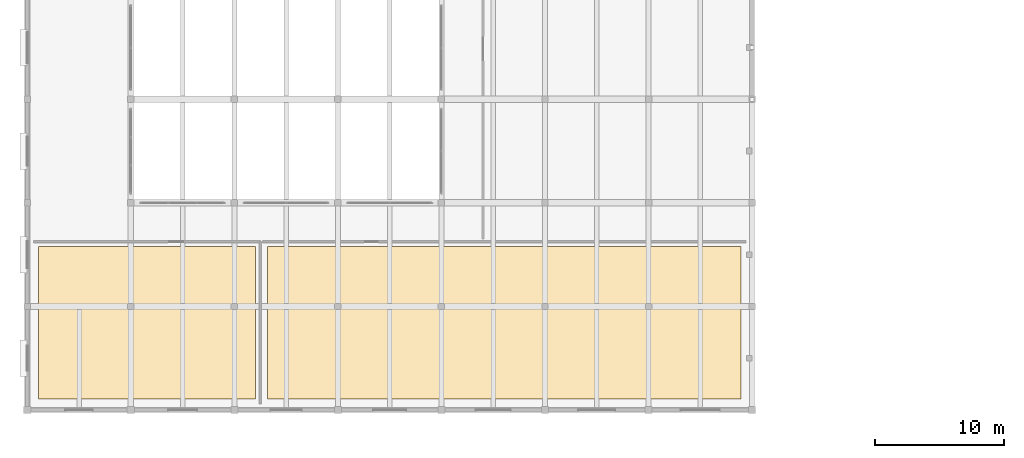
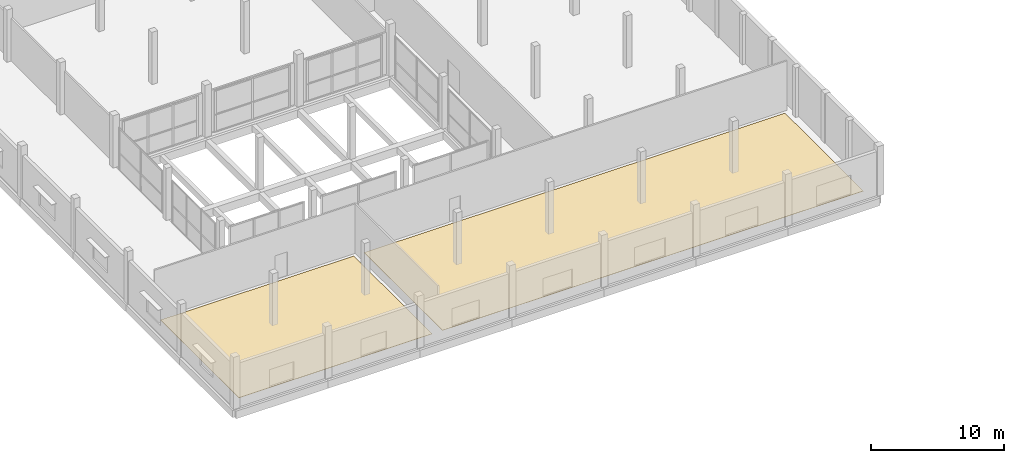
# One storey, part 41 of 47: 2 coverings.
"""IFC4 building model written with IfcOpenShell, lengths in metres."""

from ifc_helpers import new_model, si_unit, direction, frame, origin, place, context, subcontext, project, spatial, polyline, outline, extrude, material, layer, layer_set, type_object, element, save


model = new_model("IFC4")

# Units and contexts
model_context = context("Model", 3, precision=1e-05, world=origin(), true_north=direction((0.0, 1.0)))
body_context = subcontext(model_context, "Body", "Model", "MODEL_VIEW")
ifc_project = project(units=[si_unit("LENGTHUNIT", "METRE"), si_unit("AREAUNIT", "SQUARE_METRE"), si_unit("VOLUMEUNIT", "CUBIC_METRE"), si_unit("PLANEANGLEUNIT", "RADIAN"), si_unit("MASSUNIT", "GRAM", prefix="KILO")], contexts=[model_context])

# Site, building, storey
site_placement = place(None, origin())
site = spatial("IfcSite", under=ifc_project, at=site_placement, CompositionType="ELEMENT")
building_placement = place(site_placement, origin())
building = spatial("IfcBuilding", under=site, at=building_placement, Name="Vharandega Faculty of Natural Sciences", CompositionType="ELEMENT")
storey_placement = place(building_placement, frame((0.0, 0.0, 5.39990234375)))
storey = spatial("IfcBuildingStorey", under=building, at=storey_placement, Name="L01", CompositionType="ELEMENT", Elevation=5.39990234375)

# Coverings
ifc_material = material(Name="Polished Harare granite terrazzo flooring", Category="masonry")
ifc_layer = layer(ifc_material, 0.02490234375, Name="Polished Harare granite terrazzo flooring")
ifc_layer_set = layer_set([ifc_layer], Name="Polished Harare granite terrazzo flooring")
covering_type = type_object("IfcCoveringType", Name="Terrazzo Concourse Flooring 25mm", PredefinedType="FLOORING", material=ifc_layer_set)
covering_1_placement = place(storey_placement, origin())
element("IfcCovering", 1, at=covering_1_placement, inside=storey, type_object=covering_type, Name="L01-RM-W1 Finish Flooring", PredefinedType="FLOORING", context=body_context, shape_type="SweptSolid", body=[
    extrude(outline(polyline([(0.85009765625, 0.85009765625), (17.64990234375, 0.85009765625), (17.64990234375, 12.64990234375), (0.85009765625, 12.64990234375), (0.85009765625, 0.85009765625)])), origin(), (0.0, 0.0, 1.0), 0.025146484375),
])
covering_2_placement = place(storey_placement, origin())
element("IfcCovering", 2, at=covering_2_placement, inside=storey, type_object=covering_type, Name="L01-RM-W2 Finish Flooring", PredefinedType="FLOORING", context=body_context, shape_type="SweptSolid", body=[
    extrude(outline(polyline([(18.550048828125, 0.85009765625), (55.14990234375, 0.85009765625), (55.14990234375, 12.64990234375), (18.550048828125, 12.64990234375), (18.550048828125, 0.85009765625)])), origin(), (0.0, 0.0, 1.0), 0.025146484375),
])

save(model, "model.ifc")
